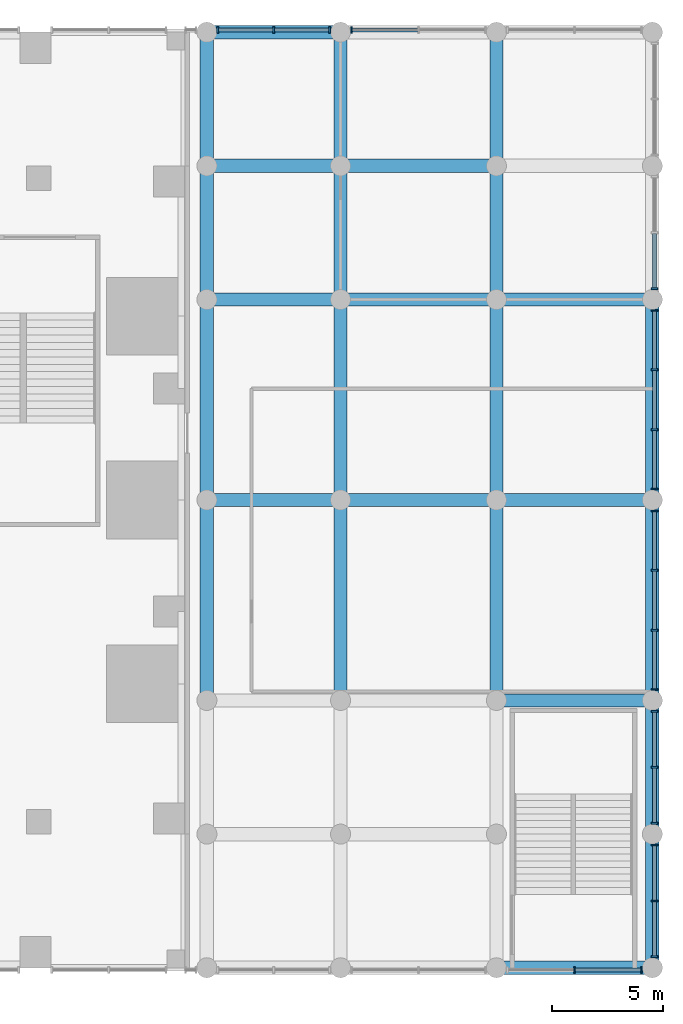
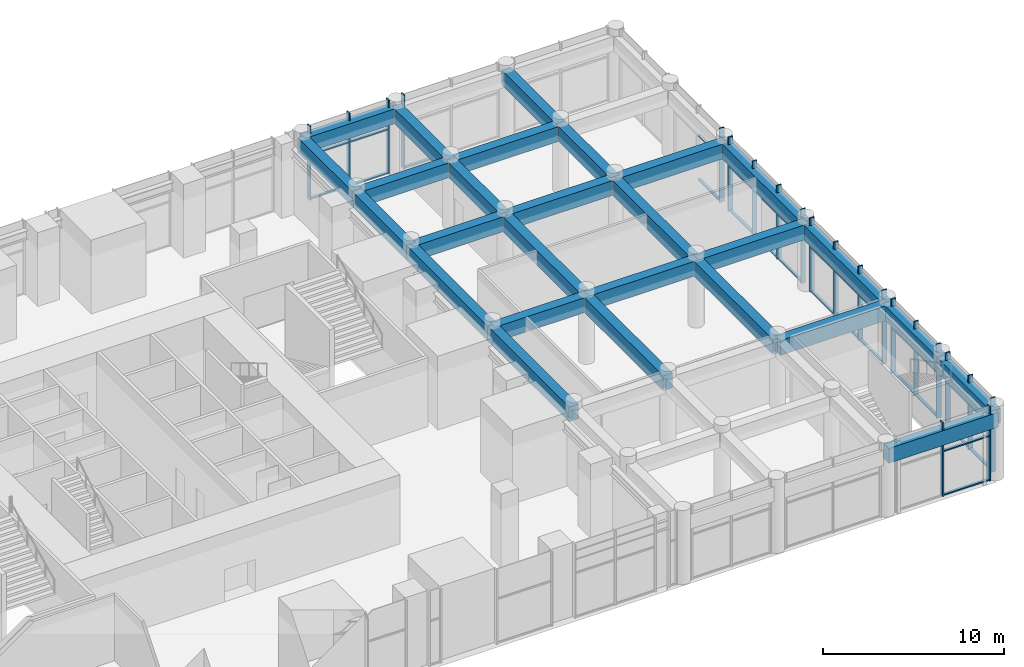
# One storey, part 7 of 23: 50 members, 27 beams, 8 elements without a shape of their own.
"""IFC4 building model written with IfcOpenShell, lengths in metres."""

from ifc_helpers import new_model, si_unit, direction, frame, origin, origin_2d, place, context, subcontext, project, spatial, rectangle, extrude, material, material_profile, profile_set, type_object, element, aggregate, save


model = new_model("IFC4")

# Units and contexts
model_context = context("Model", 3, precision=1e-05, world=origin(), true_north=direction((0.0, 1.0)))
body_context = subcontext(model_context, "Body", "Model", "MODEL_VIEW")
ifc_project = project(units=[si_unit("LENGTHUNIT", "METRE"), si_unit("AREAUNIT", "SQUARE_METRE"), si_unit("VOLUMEUNIT", "CUBIC_METRE"), si_unit("PLANEANGLEUNIT", "RADIAN"), si_unit("MASSUNIT", "GRAM", prefix="KILO")], contexts=[model_context])

# Site, building, storey
site_placement = place(None, origin())
site = spatial("IfcSite", under=ifc_project, at=site_placement, CompositionType="ELEMENT")
building_placement = place(site_placement, origin())
building = spatial("IfcBuilding", under=site, at=building_placement, Name="Svetlomir Tower", CompositionType="ELEMENT")
storey_placement = place(building_placement, frame((0.0, 0.0, 6.0)))
storey = spatial("IfcBuildingStorey", under=building, at=storey_placement, Name="L01", CompositionType="ELEMENT", Elevation=6.0)

# Curtain wall, members
ifc_material_1 = material(Name="Bronze anodised aluminium curtain wall", Category="aluminium")
curtain_wall_type = type_object("IfcCurtainWallType", Name="CURTAIN WALL CW5 PODIUM", PredefinedType="NOTDEFINED", material=ifc_material_1)
curtain_wall_1_placement = place(storey_placement, origin())
curtain_wall_1 = element("IfcCurtainWall", 1, at=curtain_wall_1_placement, inside=storey, type_object=curtain_wall_type, Name="Curtain wall CW5 L01", PredefinedType="NOTDEFINED")
ifc_material_2 = material(Name="Bronze anodised aluminium", Category="aluminium")
ifc_material_profile_1 = material_profile(ifc_material_2, rectangle(XDim=0.080078125, YDim=0.300048828125, at=origin_2d()), Name="AL 80x300")
ifc_profile_set_1 = profile_set([ifc_material_profile_1], Name="Bronze anodised aluminium 6063-T6")
member_type_1 = type_object("IfcMemberType", Name="CW5 MULLION 80x300", PredefinedType="MULLION", material=ifc_profile_set_1)
member_1_placement = place(storey_placement, frame((59.5, -0.10009765625, 0.0), z_axis=(0.0, 0.0, 1.0), x_axis=(1.0, 0.0, 0.0)))
member_1 = element("IfcMember", 2, at=member_1_placement, type_object=member_type_1, Name="CW5 mullion 2", PredefinedType="MULLION", context=body_context, shape_type="SweptSolid", body=[
    extrude(rectangle(XDim=0.080078125, YDim=0.300048828125, at=origin_2d()), origin(), (0.0, 0.0, 1.0), 5.0),
])
member_2_placement = place(storey_placement, frame((62.510009765625, -0.10009765625, 0.0), z_axis=(0.0, 0.0, 1.0), x_axis=(1.0, 0.0, 0.0)))
member_2 = element("IfcMember", 3, at=member_2_placement, type_object=member_type_1, Name="CW5 mullion 3", PredefinedType="MULLION", context=body_context, shape_type="SweptSolid", body=[
    extrude(rectangle(XDim=0.080078125, YDim=0.300048828125, at=origin_2d()), origin(), (0.0, 0.0, 1.0), 5.0),
])

curtain_wall_2_placement = place(storey_placement, origin())
curtain_wall_2 = element("IfcCurtainWall", 4, at=curtain_wall_2_placement, inside=storey, type_object=curtain_wall_type, Name="Curtain wall CW5 L01", PredefinedType="NOTDEFINED")
member_3_placement = place(storey_placement, frame((63.10009765625, 0.489990234375, 0.0), z_axis=(0.0, 0.0, 1.0), x_axis=(0.0, 1.0, 0.0)))
member_3 = element("IfcMember", 5, at=member_3_placement, type_object=member_type_1, Name="CW5 mullion 1", PredefinedType="MULLION", context=body_context, shape_type="SweptSolid", body=[
    extrude(rectangle(XDim=0.080078125, YDim=0.300048828125, at=origin_2d()), origin(), (0.0, 0.0, 1.0), 5.0),
])
member_4_placement = place(storey_placement, frame((63.10009765625, 3.0, 0.0), z_axis=(0.0, 0.0, 1.0), x_axis=(0.0, 1.0, 0.0)))
member_4 = element("IfcMember", 6, at=member_4_placement, type_object=member_type_1, Name="CW5 mullion 2", PredefinedType="MULLION", context=body_context, shape_type="SweptSolid", body=[
    extrude(rectangle(XDim=0.080078125, YDim=0.300048828125, at=origin_2d()), origin(), (0.0, 0.0, 1.0), 5.0),
])
member_5_placement = place(storey_placement, frame((63.10009765625, 5.510009765625, 0.0), z_axis=(0.0, 0.0, 1.0), x_axis=(0.0, 1.0, 0.0)))
member_5 = element("IfcMember", 7, at=member_5_placement, type_object=member_type_1, Name="CW5 mullion 3", PredefinedType="MULLION", context=body_context, shape_type="SweptSolid", body=[
    extrude(rectangle(XDim=0.080078125, YDim=0.300048828125, at=origin_2d()), origin(), (0.0, 0.0, 1.0), 5.0),
])

curtain_wall_3_placement = place(storey_placement, origin())
curtain_wall_3 = element("IfcCurtainWall", 8, at=curtain_wall_3_placement, inside=storey, type_object=curtain_wall_type, Name="Curtain wall CW5 L01", PredefinedType="NOTDEFINED")
member_6_placement = place(storey_placement, frame((63.10009765625, 6.489990234375, 0.0), z_axis=(0.0, 0.0, 1.0), x_axis=(0.0, 1.0, 0.0)))
member_6 = element("IfcMember", 9, at=member_6_placement, type_object=member_type_1, Name="CW5 mullion 1", PredefinedType="MULLION", context=body_context, shape_type="SweptSolid", body=[
    extrude(rectangle(XDim=0.080078125, YDim=0.300048828125, at=origin_2d()), origin(), (0.0, 0.0, 1.0), 5.0),
])
member_7_placement = place(storey_placement, frame((63.10009765625, 9.0, 0.0), z_axis=(0.0, 0.0, 1.0), x_axis=(0.0, 1.0, 0.0)))
member_7 = element("IfcMember", 10, at=member_7_placement, type_object=member_type_1, Name="CW5 mullion 2", PredefinedType="MULLION", context=body_context, shape_type="SweptSolid", body=[
    extrude(rectangle(XDim=0.080078125, YDim=0.300048828125, at=origin_2d()), origin(), (0.0, 0.0, 1.0), 5.0),
])
member_8_placement = place(storey_placement, frame((63.10009765625, 11.510009765625, 0.0), z_axis=(0.0, 0.0, 1.0), x_axis=(0.0, 1.0, 0.0)))
member_8 = element("IfcMember", 11, at=member_8_placement, type_object=member_type_1, Name="CW5 mullion 3", PredefinedType="MULLION", context=body_context, shape_type="SweptSolid", body=[
    extrude(rectangle(XDim=0.080078125, YDim=0.300048828125, at=origin_2d()), origin(), (0.0, 0.0, 1.0), 5.0),
])

curtain_wall_4_placement = place(storey_placement, origin())
curtain_wall_4 = element("IfcCurtainWall", 12, at=curtain_wall_4_placement, inside=storey, type_object=curtain_wall_type, Name="Curtain wall CW5 L01", PredefinedType="NOTDEFINED")
member_9_placement = place(storey_placement, frame((63.10009765625, 12.489990234375, 0.0), z_axis=(0.0, 0.0, 1.0), x_axis=(0.0, 1.0, 0.0)))
member_9 = element("IfcMember", 13, at=member_9_placement, type_object=member_type_1, Name="CW5 mullion 1", PredefinedType="MULLION", context=body_context, shape_type="SweptSolid", body=[
    extrude(rectangle(XDim=0.080078125, YDim=0.300048828125, at=origin_2d()), origin(), (0.0, 0.0, 1.0), 5.0),
])
member_10_placement = place(storey_placement, frame((63.10009765625, 15.14990234375, 0.0), z_axis=(0.0, 0.0, 1.0), x_axis=(0.0, 1.0, 0.0)))
member_10 = element("IfcMember", 14, at=member_10_placement, type_object=member_type_1, Name="CW5 mullion 2", PredefinedType="MULLION", context=body_context, shape_type="SweptSolid", body=[
    extrude(rectangle(XDim=0.080078125, YDim=0.300048828125, at=origin_2d()), origin(), (0.0, 0.0, 1.0), 5.0),
])
member_11_placement = place(storey_placement, frame((63.10009765625, 17.85009765625, 0.0), z_axis=(0.0, 0.0, 1.0), x_axis=(0.0, 1.0, 0.0)))
member_11 = element("IfcMember", 15, at=member_11_placement, type_object=member_type_1, Name="CW5 mullion 3", PredefinedType="MULLION", context=body_context, shape_type="SweptSolid", body=[
    extrude(rectangle(XDim=0.080078125, YDim=0.300048828125, at=origin_2d()), origin(), (0.0, 0.0, 1.0), 5.0),
])
member_12_placement = place(storey_placement, frame((63.10009765625, 20.510009765625, 0.0), z_axis=(0.0, 0.0, 1.0), x_axis=(0.0, 1.0, 0.0)))
member_12 = element("IfcMember", 16, at=member_12_placement, type_object=member_type_1, Name="CW5 mullion 4", PredefinedType="MULLION", context=body_context, shape_type="SweptSolid", body=[
    extrude(rectangle(XDim=0.080078125, YDim=0.300048828125, at=origin_2d()), origin(), (0.0, 0.0, 1.0), 5.0),
])

curtain_wall_5_placement = place(storey_placement, origin())
curtain_wall_5 = element("IfcCurtainWall", 17, at=curtain_wall_5_placement, inside=storey, type_object=curtain_wall_type, Name="Curtain wall CW5 L01", PredefinedType="NOTDEFINED")
member_13_placement = place(storey_placement, frame((63.10009765625, 21.489990234375, 0.0), z_axis=(0.0, 0.0, 1.0), x_axis=(0.0, 1.0, 0.0)))
member_13 = element("IfcMember", 18, at=member_13_placement, type_object=member_type_1, Name="CW5 mullion 1", PredefinedType="MULLION", context=body_context, shape_type="SweptSolid", body=[
    extrude(rectangle(XDim=0.080078125, YDim=0.300048828125, at=origin_2d()), origin(), (0.0, 0.0, 1.0), 5.0),
])
member_14_placement = place(storey_placement, frame((63.10009765625, 24.14990234375, 0.0), z_axis=(0.0, 0.0, 1.0), x_axis=(0.0, 1.0, 0.0)))
member_14 = element("IfcMember", 19, at=member_14_placement, type_object=member_type_1, Name="CW5 mullion 2", PredefinedType="MULLION", context=body_context, shape_type="SweptSolid", body=[
    extrude(rectangle(XDim=0.080078125, YDim=0.300048828125, at=origin_2d()), origin(), (0.0, 0.0, 1.0), 5.0),
])
member_15_placement = place(storey_placement, frame((63.10009765625, 26.85009765625, 0.0), z_axis=(0.0, 0.0, 1.0), x_axis=(0.0, 1.0, 0.0)))
member_15 = element("IfcMember", 20, at=member_15_placement, type_object=member_type_1, Name="CW5 mullion 3", PredefinedType="MULLION", context=body_context, shape_type="SweptSolid", body=[
    extrude(rectangle(XDim=0.080078125, YDim=0.300048828125, at=origin_2d()), origin(), (0.0, 0.0, 1.0), 5.0),
])
member_16_placement = place(storey_placement, frame((63.10009765625, 29.510009765625, 0.0), z_axis=(0.0, 0.0, 1.0), x_axis=(0.0, 1.0, 0.0)))
member_16 = element("IfcMember", 21, at=member_16_placement, type_object=member_type_1, Name="CW5 mullion 4", PredefinedType="MULLION", context=body_context, shape_type="SweptSolid", body=[
    extrude(rectangle(XDim=0.080078125, YDim=0.300048828125, at=origin_2d()), origin(), (0.0, 0.0, 1.0), 5.0),
])

# Curtain wall, member
curtain_wall_6_placement = place(storey_placement, origin())
curtain_wall_6 = element("IfcCurtainWall", 22, at=curtain_wall_6_placement, inside=storey, type_object=curtain_wall_type, Name="Curtain wall CW5 L01", PredefinedType="NOTDEFINED")
member_17_placement = place(storey_placement, frame((63.10009765625, 30.489990234375, 0.0), z_axis=(0.0, 0.0, 1.0), x_axis=(0.0, 1.0, 0.0)))
member_17 = element("IfcMember", 23, at=member_17_placement, type_object=member_type_1, Name="CW5 mullion 1", PredefinedType="MULLION", context=body_context, shape_type="SweptSolid", body=[
    extrude(rectangle(XDim=0.080078125, YDim=0.300048828125, at=origin_2d()), origin(), (0.0, 0.0, 1.0), 5.0),
])

curtain_wall_7_placement = place(storey_placement, origin())
curtain_wall_7 = element("IfcCurtainWall", 24, at=curtain_wall_7_placement, inside=storey, type_object=curtain_wall_type, Name="Curtain wall CW5 L01", PredefinedType="NOTDEFINED")
member_18_placement = place(storey_placement, frame((49.489990234375, 42.10009765625, 0.0), z_axis=(0.0, 0.0, 1.0), x_axis=(-1.0, 0.0, 0.0)))
member_18 = element("IfcMember", 25, at=member_18_placement, type_object=member_type_1, Name="CW5 mullion 3", PredefinedType="MULLION", context=body_context, shape_type="SweptSolid", body=[
    extrude(rectangle(XDim=0.080078125, YDim=0.300048828125, at=origin_2d()), origin(), (0.0, 0.0, 1.0), 5.0),
])

# Curtain wall, members
curtain_wall_8_placement = place(storey_placement, origin())
curtain_wall_8 = element("IfcCurtainWall", 26, at=curtain_wall_8_placement, inside=storey, type_object=curtain_wall_type, Name="Curtain wall CW5 L01", PredefinedType="NOTDEFINED")
member_19_placement = place(storey_placement, frame((48.510009765625, 42.10009765625, 0.0), z_axis=(0.0, 0.0, 1.0), x_axis=(-1.0, 0.0, 0.0)))
member_19 = element("IfcMember", 27, at=member_19_placement, type_object=member_type_1, Name="CW5 mullion 1", PredefinedType="MULLION", context=body_context, shape_type="SweptSolid", body=[
    extrude(rectangle(XDim=0.080078125, YDim=0.300048828125, at=origin_2d()), origin(), (0.0, 0.0, 1.0), 5.0),
])
member_20_placement = place(storey_placement, frame((46.0, 42.10009765625, 0.0), z_axis=(0.0, 0.0, 1.0), x_axis=(-1.0, 0.0, 0.0)))
member_20 = element("IfcMember", 28, at=member_20_placement, type_object=member_type_1, Name="CW5 mullion 2", PredefinedType="MULLION", context=body_context, shape_type="SweptSolid", body=[
    extrude(rectangle(XDim=0.080078125, YDim=0.300048828125, at=origin_2d()), origin(), (0.0, 0.0, 1.0), 5.0),
])
member_21_placement = place(storey_placement, frame((43.489990234375, 42.10009765625, 0.0), z_axis=(0.0, 0.0, 1.0), x_axis=(-1.0, 0.0, 0.0)))
member_21 = element("IfcMember", 29, at=member_21_placement, type_object=member_type_1, Name="CW5 mullion 3", PredefinedType="MULLION", context=body_context, shape_type="SweptSolid", body=[
    extrude(rectangle(XDim=0.080078125, YDim=0.300048828125, at=origin_2d()), origin(), (0.0, 0.0, 1.0), 5.0),
])

# Member
ifc_material_3 = material(Name="Bronze anodised aluminium", Category="aluminium")
ifc_material_profile_2 = material_profile(ifc_material_3, rectangle(XDim=0.179931640625, YDim=0.080078125, at=origin_2d()), Name="AL 180x80")
ifc_profile_set_2 = profile_set([ifc_material_profile_2], Name="Bronze anodised aluminium 6063-T6")
member_type_2 = type_object("IfcMemberType", Name="CW5 TRANSOM 80x180", PredefinedType="USERDEFINED", material=ifc_profile_set_2)
member_22_placement = place(storey_placement, frame((59.5400390625, -0.10009765625, 0.0400390625), z_axis=(1.0, 0.0, 0.0), x_axis=(0.0, 1.0, 0.0)))
member_22 = element("IfcMember", 30, at=member_22_placement, type_object=member_type_2, Name="CW5 transom 2.1", ObjectType="TRANSOM", PredefinedType="USERDEFINED", context=body_context, shape_type="SweptSolid", body=[
    extrude(rectangle(XDim=0.179931640625, YDim=0.080078125, at=origin_2d()), origin(), (0.0, 0.0, 1.0), 2.929931640625),
])

member_23_placement = place(storey_placement, frame((59.5400390625, -0.10009765625, 3.0), z_axis=(1.0, 0.0, 0.0), x_axis=(0.0, 1.0, 0.0)))
member_23 = element("IfcMember", 31, at=member_23_placement, type_object=member_type_2, Name="CW5 transom 2.2", ObjectType="TRANSOM", PredefinedType="USERDEFINED", context=body_context, shape_type="SweptSolid", body=[
    extrude(rectangle(XDim=0.179931640625, YDim=0.080078125, at=origin_2d()), origin(), (0.0, 0.0, 1.0), 2.929931640625),
])

aggregate(curtain_wall_1, [member_1, member_2, member_22, member_23])

member_24_placement = place(storey_placement, frame((63.10009765625, 0.530029296875, 0.0400390625), z_axis=(0.0, 1.0, 0.0), x_axis=(-1.0, 0.0, 0.0)))
member_24 = element("IfcMember", 32, at=member_24_placement, type_object=member_type_2, Name="CW5 transom 1.1", ObjectType="TRANSOM", PredefinedType="USERDEFINED", context=body_context, shape_type="SweptSolid", body=[
    extrude(rectangle(XDim=0.179931640625, YDim=0.080078125, at=origin_2d()), origin(), (0.0, 0.0, 1.0), 2.429931640625),
])

member_25_placement = place(storey_placement, frame((63.10009765625, 0.530029296875, 3.0), z_axis=(0.0, 1.0, 0.0), x_axis=(-1.0, 0.0, 0.0)))
member_25 = element("IfcMember", 33, at=member_25_placement, type_object=member_type_2, Name="CW5 transom 1.2", ObjectType="TRANSOM", PredefinedType="USERDEFINED", context=body_context, shape_type="SweptSolid", body=[
    extrude(rectangle(XDim=0.179931640625, YDim=0.080078125, at=origin_2d()), origin(), (0.0, 0.0, 1.0), 2.429931640625),
])

member_26_placement = place(storey_placement, frame((63.10009765625, 3.0400390625, 0.0400390625), z_axis=(0.0, 1.0, 0.0), x_axis=(-1.0, 0.0, 0.0)))
member_26 = element("IfcMember", 34, at=member_26_placement, type_object=member_type_2, Name="CW5 transom 2.1", ObjectType="TRANSOM", PredefinedType="USERDEFINED", context=body_context, shape_type="SweptSolid", body=[
    extrude(rectangle(XDim=0.179931640625, YDim=0.080078125, at=origin_2d()), origin(), (0.0, 0.0, 1.0), 2.429931640625),
])

member_27_placement = place(storey_placement, frame((63.10009765625, 3.0400390625, 3.0), z_axis=(0.0, 1.0, 0.0), x_axis=(-1.0, 0.0, 0.0)))
member_27 = element("IfcMember", 35, at=member_27_placement, type_object=member_type_2, Name="CW5 transom 2.2", ObjectType="TRANSOM", PredefinedType="USERDEFINED", context=body_context, shape_type="SweptSolid", body=[
    extrude(rectangle(XDim=0.179931640625, YDim=0.080078125, at=origin_2d()), origin(), (0.0, 0.0, 1.0), 2.429931640625),
])

aggregate(curtain_wall_2, [member_3, member_4, member_5, member_24, member_25, member_26, member_27])

member_28_placement = place(storey_placement, frame((63.10009765625, 6.530029296875, 0.0400390625), z_axis=(0.0, 1.0, 0.0), x_axis=(-1.0, 0.0, 0.0)))
member_28 = element("IfcMember", 36, at=member_28_placement, type_object=member_type_2, Name="CW5 transom 1.1", ObjectType="TRANSOM", PredefinedType="USERDEFINED", context=body_context, shape_type="SweptSolid", body=[
    extrude(rectangle(XDim=0.179931640625, YDim=0.080078125, at=origin_2d()), origin(), (0.0, 0.0, 1.0), 2.429931640625),
])

member_29_placement = place(storey_placement, frame((63.10009765625, 6.530029296875, 3.0), z_axis=(0.0, 1.0, 0.0), x_axis=(-1.0, 0.0, 0.0)))
member_29 = element("IfcMember", 37, at=member_29_placement, type_object=member_type_2, Name="CW5 transom 1.2", ObjectType="TRANSOM", PredefinedType="USERDEFINED", context=body_context, shape_type="SweptSolid", body=[
    extrude(rectangle(XDim=0.179931640625, YDim=0.080078125, at=origin_2d()), origin(), (0.0, 0.0, 1.0), 2.429931640625),
])

member_30_placement = place(storey_placement, frame((63.10009765625, 9.0400390625, 0.0400390625), z_axis=(0.0, 1.0, 0.0), x_axis=(-1.0, 0.0, 0.0)))
member_30 = element("IfcMember", 38, at=member_30_placement, type_object=member_type_2, Name="CW5 transom 2.1", ObjectType="TRANSOM", PredefinedType="USERDEFINED", context=body_context, shape_type="SweptSolid", body=[
    extrude(rectangle(XDim=0.179931640625, YDim=0.080078125, at=origin_2d()), origin(), (0.0, 0.0, 1.0), 2.429931640625),
])

member_31_placement = place(storey_placement, frame((63.10009765625, 9.0400390625, 3.0), z_axis=(0.0, 1.0, 0.0), x_axis=(-1.0, 0.0, 0.0)))
member_31 = element("IfcMember", 39, at=member_31_placement, type_object=member_type_2, Name="CW5 transom 2.2", ObjectType="TRANSOM", PredefinedType="USERDEFINED", context=body_context, shape_type="SweptSolid", body=[
    extrude(rectangle(XDim=0.179931640625, YDim=0.080078125, at=origin_2d()), origin(), (0.0, 0.0, 1.0), 2.429931640625),
])

aggregate(curtain_wall_3, [member_6, member_7, member_8, member_28, member_29, member_30, member_31])

member_32_placement = place(storey_placement, frame((63.10009765625, 12.530029296875, 0.0400390625), z_axis=(0.0, 1.0, 0.0), x_axis=(-1.0, 0.0, 0.0)))
member_32 = element("IfcMember", 40, at=member_32_placement, type_object=member_type_2, Name="CW5 transom 1.1", ObjectType="TRANSOM", PredefinedType="USERDEFINED", context=body_context, shape_type="SweptSolid", body=[
    extrude(rectangle(XDim=0.179931640625, YDim=0.080078125, at=origin_2d()), origin(), (0.0, 0.0, 1.0), 2.580078125),
])

member_33_placement = place(storey_placement, frame((63.10009765625, 12.530029296875, 3.0), z_axis=(0.0, 1.0, 0.0), x_axis=(-1.0, 0.0, 0.0)))
member_33 = element("IfcMember", 41, at=member_33_placement, type_object=member_type_2, Name="CW5 transom 1.2", ObjectType="TRANSOM", PredefinedType="USERDEFINED", context=body_context, shape_type="SweptSolid", body=[
    extrude(rectangle(XDim=0.179931640625, YDim=0.080078125, at=origin_2d()), origin(), (0.0, 0.0, 1.0), 2.580078125),
])

member_34_placement = place(storey_placement, frame((63.10009765625, 15.18994140625, 0.0400390625), z_axis=(0.0, 1.0, 0.0), x_axis=(-1.0, 0.0, 0.0)))
member_34 = element("IfcMember", 42, at=member_34_placement, type_object=member_type_2, Name="CW5 transom 2.1", ObjectType="TRANSOM", PredefinedType="USERDEFINED", context=body_context, shape_type="SweptSolid", body=[
    extrude(rectangle(XDim=0.179931640625, YDim=0.080078125, at=origin_2d()), origin(), (0.0, 0.0, 1.0), 2.6201171875),
])

member_35_placement = place(storey_placement, frame((63.10009765625, 15.18994140625, 3.0), z_axis=(0.0, 1.0, 0.0), x_axis=(-1.0, 0.0, 0.0)))
member_35 = element("IfcMember", 43, at=member_35_placement, type_object=member_type_2, Name="CW5 transom 2.2", ObjectType="TRANSOM", PredefinedType="USERDEFINED", context=body_context, shape_type="SweptSolid", body=[
    extrude(rectangle(XDim=0.179931640625, YDim=0.080078125, at=origin_2d()), origin(), (0.0, 0.0, 1.0), 2.6201171875),
])

member_36_placement = place(storey_placement, frame((63.10009765625, 17.889892578125, 0.0400390625), z_axis=(0.0, 1.0, 0.0), x_axis=(-1.0, 0.0, 0.0)))
member_36 = element("IfcMember", 44, at=member_36_placement, type_object=member_type_2, Name="CW5 transom 3.1", ObjectType="TRANSOM", PredefinedType="USERDEFINED", context=body_context, shape_type="SweptSolid", body=[
    extrude(rectangle(XDim=0.179931640625, YDim=0.080078125, at=origin_2d()), origin(), (0.0, 0.0, 1.0), 2.580078125),
])

member_37_placement = place(storey_placement, frame((63.10009765625, 17.889892578125, 3.0), z_axis=(0.0, 1.0, 0.0), x_axis=(-1.0, 0.0, 0.0)))
member_37 = element("IfcMember", 45, at=member_37_placement, type_object=member_type_2, Name="CW5 transom 3.2", ObjectType="TRANSOM", PredefinedType="USERDEFINED", context=body_context, shape_type="SweptSolid", body=[
    extrude(rectangle(XDim=0.179931640625, YDim=0.080078125, at=origin_2d()), origin(), (0.0, 0.0, 1.0), 2.580078125),
])

aggregate(curtain_wall_4, [member_9, member_10, member_11, member_12, member_32, member_33, member_34, member_35, member_36, member_37])

member_38_placement = place(storey_placement, frame((63.10009765625, 21.530029296875, 0.0400390625), z_axis=(0.0, 1.0, 0.0), x_axis=(-1.0, 0.0, 0.0)))
member_38 = element("IfcMember", 46, at=member_38_placement, type_object=member_type_2, Name="CW5 transom 1.1", ObjectType="TRANSOM", PredefinedType="USERDEFINED", context=body_context, shape_type="SweptSolid", body=[
    extrude(rectangle(XDim=0.179931640625, YDim=0.080078125, at=origin_2d()), origin(), (0.0, 0.0, 1.0), 2.580078125),
])

member_39_placement = place(storey_placement, frame((63.10009765625, 21.530029296875, 3.0), z_axis=(0.0, 1.0, 0.0), x_axis=(-1.0, 0.0, 0.0)))
member_39 = element("IfcMember", 47, at=member_39_placement, type_object=member_type_2, Name="CW5 transom 1.2", ObjectType="TRANSOM", PredefinedType="USERDEFINED", context=body_context, shape_type="SweptSolid", body=[
    extrude(rectangle(XDim=0.179931640625, YDim=0.080078125, at=origin_2d()), origin(), (0.0, 0.0, 1.0), 2.580078125),
])

member_40_placement = place(storey_placement, frame((63.10009765625, 24.18994140625, 0.0400390625), z_axis=(0.0, 1.0, 0.0), x_axis=(-1.0, 0.0, 0.0)))
member_40 = element("IfcMember", 48, at=member_40_placement, type_object=member_type_2, Name="CW5 transom 2.1", ObjectType="TRANSOM", PredefinedType="USERDEFINED", context=body_context, shape_type="SweptSolid", body=[
    extrude(rectangle(XDim=0.179931640625, YDim=0.080078125, at=origin_2d()), origin(), (0.0, 0.0, 1.0), 2.6201171875),
])

member_41_placement = place(storey_placement, frame((63.10009765625, 24.18994140625, 3.0), z_axis=(0.0, 1.0, 0.0), x_axis=(-1.0, 0.0, 0.0)))
member_41 = element("IfcMember", 49, at=member_41_placement, type_object=member_type_2, Name="CW5 transom 2.2", ObjectType="TRANSOM", PredefinedType="USERDEFINED", context=body_context, shape_type="SweptSolid", body=[
    extrude(rectangle(XDim=0.179931640625, YDim=0.080078125, at=origin_2d()), origin(), (0.0, 0.0, 1.0), 2.6201171875),
])

member_42_placement = place(storey_placement, frame((63.10009765625, 26.889892578125, 0.0400390625), z_axis=(0.0, 1.0, 0.0), x_axis=(-1.0, 0.0, 0.0)))
member_42 = element("IfcMember", 50, at=member_42_placement, type_object=member_type_2, Name="CW5 transom 3.1", ObjectType="TRANSOM", PredefinedType="USERDEFINED", context=body_context, shape_type="SweptSolid", body=[
    extrude(rectangle(XDim=0.179931640625, YDim=0.080078125, at=origin_2d()), origin(), (0.0, 0.0, 1.0), 2.580078125),
])

member_43_placement = place(storey_placement, frame((63.10009765625, 26.889892578125, 3.0), z_axis=(0.0, 1.0, 0.0), x_axis=(-1.0, 0.0, 0.0)))
member_43 = element("IfcMember", 51, at=member_43_placement, type_object=member_type_2, Name="CW5 transom 3.2", ObjectType="TRANSOM", PredefinedType="USERDEFINED", context=body_context, shape_type="SweptSolid", body=[
    extrude(rectangle(XDim=0.179931640625, YDim=0.080078125, at=origin_2d()), origin(), (0.0, 0.0, 1.0), 2.580078125),
])

aggregate(curtain_wall_5, [member_13, member_14, member_15, member_16, member_38, member_39, member_40, member_41, member_42, member_43])

member_44_placement = place(storey_placement, frame((63.10009765625, 30.530029296875, 0.0400390625), z_axis=(0.0, 1.0, 0.0), x_axis=(-1.0, 0.0, 0.0)))
member_44 = element("IfcMember", 52, at=member_44_placement, type_object=member_type_2, Name="CW5 transom 1.1", ObjectType="TRANSOM", PredefinedType="USERDEFINED", context=body_context, shape_type="SweptSolid", body=[
    extrude(rectangle(XDim=0.179931640625, YDim=0.080078125, at=origin_2d()), origin(), (0.0, 0.0, 1.0), 2.429931640625),
])

member_45_placement = place(storey_placement, frame((63.10009765625, 30.530029296875, 3.0), z_axis=(0.0, 1.0, 0.0), x_axis=(-1.0, 0.0, 0.0)))
member_45 = element("IfcMember", 53, at=member_45_placement, type_object=member_type_2, Name="CW5 transom 1.2", ObjectType="TRANSOM", PredefinedType="USERDEFINED", context=body_context, shape_type="SweptSolid", body=[
    extrude(rectangle(XDim=0.179931640625, YDim=0.080078125, at=origin_2d()), origin(), (0.0, 0.0, 1.0), 2.429931640625),
])

aggregate(curtain_wall_6, [member_17, member_44, member_45])

member_46_placement = place(storey_placement, frame((52.4599609375, 42.10009765625, 0.0400390625), z_axis=(-1.0, 0.0, 0.0), x_axis=(0.0, -1.0, 0.0)))
member_46 = element("IfcMember", 54, at=member_46_placement, type_object=member_type_2, Name="CW5 transom 2.1", ObjectType="TRANSOM", PredefinedType="USERDEFINED", context=body_context, shape_type="SweptSolid", body=[
    extrude(rectangle(XDim=0.179931640625, YDim=0.080078125, at=origin_2d()), origin(), (0.0, 0.0, 1.0), 2.929931640625),
])

aggregate(curtain_wall_7, [member_18, member_46])

member_47_placement = place(storey_placement, frame((48.469970703125, 42.10009765625, 0.0400390625), z_axis=(-1.0, 0.0, 0.0), x_axis=(0.0, -1.0, 0.0)))
member_47 = element("IfcMember", 55, at=member_47_placement, type_object=member_type_2, Name="CW5 transom 1.1", ObjectType="TRANSOM", PredefinedType="USERDEFINED", context=body_context, shape_type="SweptSolid", body=[
    extrude(rectangle(XDim=0.179931640625, YDim=0.080078125, at=origin_2d()), origin(), (0.0, 0.0, 1.0), 2.429931640625),
])

member_48_placement = place(storey_placement, frame((48.469970703125, 42.10009765625, 3.0), z_axis=(-1.0, 0.0, 0.0), x_axis=(0.0, -1.0, 0.0)))
member_48 = element("IfcMember", 56, at=member_48_placement, type_object=member_type_2, Name="CW5 transom 1.2", ObjectType="TRANSOM", PredefinedType="USERDEFINED", context=body_context, shape_type="SweptSolid", body=[
    extrude(rectangle(XDim=0.179931640625, YDim=0.080078125, at=origin_2d()), origin(), (0.0, 0.0, 1.0), 2.429931640625),
])

member_49_placement = place(storey_placement, frame((45.9599609375, 42.10009765625, 0.0400390625), z_axis=(-1.0, 0.0, 0.0), x_axis=(0.0, -1.0, 0.0)))
member_49 = element("IfcMember", 57, at=member_49_placement, type_object=member_type_2, Name="CW5 transom 2.1", ObjectType="TRANSOM", PredefinedType="USERDEFINED", context=body_context, shape_type="SweptSolid", body=[
    extrude(rectangle(XDim=0.179931640625, YDim=0.080078125, at=origin_2d()), origin(), (0.0, 0.0, 1.0), 2.429931640625),
])

member_50_placement = place(storey_placement, frame((45.9599609375, 42.10009765625, 3.0), z_axis=(-1.0, 0.0, 0.0), x_axis=(0.0, -1.0, 0.0)))
member_50 = element("IfcMember", 58, at=member_50_placement, type_object=member_type_2, Name="CW5 transom 2.2", ObjectType="TRANSOM", PredefinedType="USERDEFINED", context=body_context, shape_type="SweptSolid", body=[
    extrude(rectangle(XDim=0.179931640625, YDim=0.080078125, at=origin_2d()), origin(), (0.0, 0.0, 1.0), 2.429931640625),
])

aggregate(curtain_wall_8, [member_19, member_20, member_21, member_47, member_48, member_49, member_50])

# Beams
ifc_material_4 = material(Name="Concrete C60/75", Category="concrete")
ifc_material_profile_3 = material_profile(ifc_material_4, rectangle(XDim=0.60009765625, YDim=1.0, at=origin_2d()), Name="RC 600x1000")
ifc_profile_set_3 = profile_set([ifc_material_profile_3], Name="Concrete C60/75")
beam_type = type_object("IfcBeamType", Name="PODIUM BEAM RC 600x1000", PredefinedType="BEAM", material=ifc_profile_set_3)
for number, where, z_axis, x_axis, name in (
    (59, (43.0, 12.0, 4.0), (0.0, 1.0, 0.0), (-1.0, 0.0, 0.0), "Podium beam 43/12 to 43/21 under L02"),
    (60, (43.0, 21.0, 4.0), (0.0, 1.0, 0.0), (-1.0, 0.0, 0.0), "Podium beam 43/21 to 43/30 under L02"),
):
    element("IfcBeam", number, at=place(storey_placement, frame(where, z_axis=z_axis, x_axis=x_axis)), inside=storey, type_object=beam_type, Name=name, PredefinedType="BEAM", context=body_context, shape_type="SweptSolid", body=[
        extrude(rectangle(XDim=0.60009765625, YDim=1.0, at=origin_2d()), origin(), (0.0, 0.0, 1.0), 9.0),
    ])
for number, where, z_axis, x_axis, name in (
    (61, (43.0, 21.0, 4.0), (1.0, 0.0, 0.0), (0.0, 1.0, 0.0), "Podium beam 43/21 to 49/21 under L02"),
    (62, (43.0, 30.0, 4.0), (0.0, 1.0, 0.0), (-1.0, 0.0, 0.0), "Podium beam 43/30 to 43/36 under L02"),
    (63, (43.0, 30.0, 4.0), (1.0, 0.0, 0.0), (0.0, 1.0, 0.0), "Podium beam 43/30 to 49/30 under L02"),
    (64, (43.0, 36.0, 4.0), (0.0, 1.0, 0.0), (-1.0, 0.0, 0.0), "Podium beam 43/36 to 43/42 under L02"),
    (65, (43.0, 36.0, 4.0), (1.0, 0.0, 0.0), (0.0, 1.0, 0.0), "Podium beam 43/36 to 49/36 under L02"),
    (66, (43.0, 42.0, 4.0), (1.0, 0.0, 0.0), (0.0, 1.0, 0.0), "Podium beam 43/42 to 49/42 under L02"),
):
    element("IfcBeam", number, at=place(storey_placement, frame(where, z_axis=z_axis, x_axis=x_axis)), inside=storey, type_object=beam_type, Name=name, PredefinedType="BEAM", context=body_context, shape_type="SweptSolid", body=[
        extrude(rectangle(XDim=0.60009765625, YDim=1.0, at=origin_2d()), origin(), (0.0, 0.0, 1.0), 6.0),
    ])
for number, where, z_axis, x_axis, name in (
    (67, (49.0, 12.0, 4.0), (0.0, 1.0, 0.0), (-1.0, 0.0, 0.0), "Podium beam 49/12 to 49/21 under L02"),
    (68, (49.0, 21.0, 4.0), (0.0, 1.0, 0.0), (-1.0, 0.0, 0.0), "Podium beam 49/21 to 49/30 under L02"),
):
    element("IfcBeam", number, at=place(storey_placement, frame(where, z_axis=z_axis, x_axis=x_axis)), inside=storey, type_object=beam_type, Name=name, PredefinedType="BEAM", context=body_context, shape_type="SweptSolid", body=[
        extrude(rectangle(XDim=0.60009765625, YDim=1.0, at=origin_2d()), origin(), (0.0, 0.0, 1.0), 9.0),
    ])
beam_1_placement = place(storey_placement, frame((49.0, 21.0, 4.0), z_axis=(1.0, 0.0, 0.0), x_axis=(0.0, 1.0, 0.0)))
element("IfcBeam", 69, at=beam_1_placement, inside=storey, type_object=beam_type, Name="Podium beam 49/21 to 56/21 under L02", PredefinedType="BEAM", context=body_context, shape_type="SweptSolid", body=[
    extrude(rectangle(XDim=0.60009765625, YDim=1.0, at=origin_2d()), origin(), (0.0, 0.0, 1.0), 7.0),
])
beam_2_placement = place(storey_placement, frame((49.0, 30.0, 4.0), z_axis=(0.0, 1.0, 0.0), x_axis=(-1.0, 0.0, 0.0)))
element("IfcBeam", 70, at=beam_2_placement, inside=storey, type_object=beam_type, Name="Podium beam 49/30 to 49/36 under L02", PredefinedType="BEAM", context=body_context, shape_type="SweptSolid", body=[
    extrude(rectangle(XDim=0.60009765625, YDim=1.0, at=origin_2d()), origin(), (0.0, 0.0, 1.0), 6.0),
])
beam_3_placement = place(storey_placement, frame((49.0, 30.0, 4.0), z_axis=(1.0, 0.0, 0.0), x_axis=(0.0, 1.0, 0.0)))
element("IfcBeam", 71, at=beam_3_placement, inside=storey, type_object=beam_type, Name="Podium beam 49/30 to 56/30 under L02", PredefinedType="BEAM", context=body_context, shape_type="SweptSolid", body=[
    extrude(rectangle(XDim=0.60009765625, YDim=1.0, at=origin_2d()), origin(), (0.0, 0.0, 1.0), 7.0),
])
beam_4_placement = place(storey_placement, frame((49.0, 36.0, 4.0), z_axis=(0.0, 1.0, 0.0), x_axis=(-1.0, 0.0, 0.0)))
element("IfcBeam", 72, at=beam_4_placement, inside=storey, type_object=beam_type, Name="Podium beam 49/36 to 49/42 under L02", PredefinedType="BEAM", context=body_context, shape_type="SweptSolid", body=[
    extrude(rectangle(XDim=0.60009765625, YDim=1.0, at=origin_2d()), origin(), (0.0, 0.0, 1.0), 6.0),
])
for number, where, z_axis, x_axis, name in (
    (73, (49.0, 36.0, 4.0), (1.0, 0.0, 0.0), (0.0, 1.0, 0.0), "Podium beam 49/36 to 56/36 under L02"),
    (74, (56.0, 0.0, 4.0), (1.0, 0.0, 0.0), (0.0, 1.0, 0.0), "Podium beam 56/0 to 63/0 under L02"),
):
    element("IfcBeam", number, at=place(storey_placement, frame(where, z_axis=z_axis, x_axis=x_axis)), inside=storey, type_object=beam_type, Name=name, PredefinedType="BEAM", context=body_context, shape_type="SweptSolid", body=[
        extrude(rectangle(XDim=0.60009765625, YDim=1.0, at=origin_2d()), origin(), (0.0, 0.0, 1.0), 7.0),
    ])
beam_5_placement = place(storey_placement, frame((56.0, 12.0, 4.0), z_axis=(0.0, 1.0, 0.0), x_axis=(-1.0, 0.0, 0.0)))
element("IfcBeam", 75, at=beam_5_placement, inside=storey, type_object=beam_type, Name="Podium beam 56/12 to 56/21 under L02", PredefinedType="BEAM", context=body_context, shape_type="SweptSolid", body=[
    extrude(rectangle(XDim=0.60009765625, YDim=1.0, at=origin_2d()), origin(), (0.0, 0.0, 1.0), 9.0),
])
beam_6_placement = place(storey_placement, frame((56.0, 12.0, 4.0), z_axis=(1.0, 0.0, 0.0), x_axis=(0.0, 1.0, 0.0)))
element("IfcBeam", 76, at=beam_6_placement, inside=storey, type_object=beam_type, Name="Podium beam 56/12 to 63/12 under L02", PredefinedType="BEAM", context=body_context, shape_type="SweptSolid", body=[
    extrude(rectangle(XDim=0.60009765625, YDim=1.0, at=origin_2d()), origin(), (0.0, 0.0, 1.0), 7.0),
])
beam_7_placement = place(storey_placement, frame((56.0, 21.0, 4.0), z_axis=(0.0, 1.0, 0.0), x_axis=(-1.0, 0.0, 0.0)))
element("IfcBeam", 77, at=beam_7_placement, inside=storey, type_object=beam_type, Name="Podium beam 56/21 to 56/30 under L02", PredefinedType="BEAM", context=body_context, shape_type="SweptSolid", body=[
    extrude(rectangle(XDim=0.60009765625, YDim=1.0, at=origin_2d()), origin(), (0.0, 0.0, 1.0), 9.0),
])
beam_8_placement = place(storey_placement, frame((56.0, 21.0, 4.0), z_axis=(1.0, 0.0, 0.0), x_axis=(0.0, 1.0, 0.0)))
element("IfcBeam", 78, at=beam_8_placement, inside=storey, type_object=beam_type, Name="Podium beam 56/21 to 63/21 under L02", PredefinedType="BEAM", context=body_context, shape_type="SweptSolid", body=[
    extrude(rectangle(XDim=0.60009765625, YDim=1.0, at=origin_2d()), origin(), (0.0, 0.0, 1.0), 7.0),
])
beam_9_placement = place(storey_placement, frame((56.0, 30.0, 4.0), z_axis=(0.0, 1.0, 0.0), x_axis=(-1.0, 0.0, 0.0)))
element("IfcBeam", 79, at=beam_9_placement, inside=storey, type_object=beam_type, Name="Podium beam 56/30 to 56/36 under L02", PredefinedType="BEAM", context=body_context, shape_type="SweptSolid", body=[
    extrude(rectangle(XDim=0.60009765625, YDim=1.0, at=origin_2d()), origin(), (0.0, 0.0, 1.0), 6.0),
])
beam_10_placement = place(storey_placement, frame((56.0, 30.0, 4.0), z_axis=(1.0, 0.0, 0.0), x_axis=(0.0, 1.0, 0.0)))
element("IfcBeam", 80, at=beam_10_placement, inside=storey, type_object=beam_type, Name="Podium beam 56/30 to 63/30 under L02", PredefinedType="BEAM", context=body_context, shape_type="SweptSolid", body=[
    extrude(rectangle(XDim=0.60009765625, YDim=1.0, at=origin_2d()), origin(), (0.0, 0.0, 1.0), 7.0),
])
for number, where, z_axis, x_axis, name in (
    (81, (56.0, 36.0, 4.0), (0.0, 1.0, 0.0), (-1.0, 0.0, 0.0), "Podium beam 56/36 to 56/42 under L02"),
    (82, (63.0, 0.0, 4.0), (0.0, 1.0, 0.0), (-1.0, 0.0, 0.0), "Podium beam 63/0 to 63/6 under L02"),
    (83, (63.0, 6.0, 4.0), (0.0, 1.0, 0.0), (-1.0, 0.0, 0.0), "Podium beam 63/6 to 63/12 under L02"),
):
    element("IfcBeam", number, at=place(storey_placement, frame(where, z_axis=z_axis, x_axis=x_axis)), inside=storey, type_object=beam_type, Name=name, PredefinedType="BEAM", context=body_context, shape_type="SweptSolid", body=[
        extrude(rectangle(XDim=0.60009765625, YDim=1.0, at=origin_2d()), origin(), (0.0, 0.0, 1.0), 6.0),
    ])
for number, where, z_axis, x_axis, name in (
    (84, (63.0, 12.0, 4.0), (0.0, 1.0, 0.0), (-1.0, 0.0, 0.0), "Podium beam 63/12 to 63/21 under L02"),
    (85, (63.0, 21.0, 4.0), (0.0, 1.0, 0.0), (-1.0, 0.0, 0.0), "Podium beam 63/21 to 63/30 under L02"),
):
    element("IfcBeam", number, at=place(storey_placement, frame(where, z_axis=z_axis, x_axis=x_axis)), inside=storey, type_object=beam_type, Name=name, PredefinedType="BEAM", context=body_context, shape_type="SweptSolid", body=[
        extrude(rectangle(XDim=0.60009765625, YDim=1.0, at=origin_2d()), origin(), (0.0, 0.0, 1.0), 9.0),
    ])

save(model, "model.ifc")
